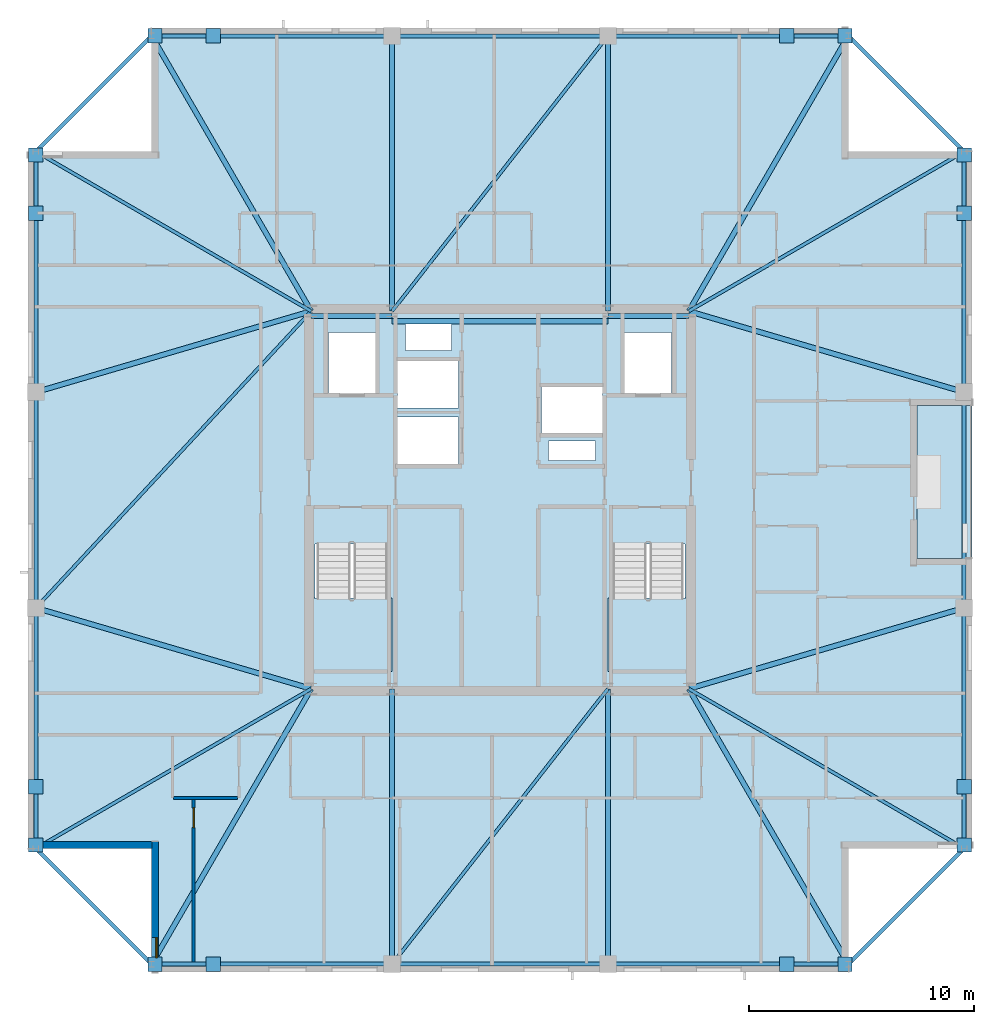
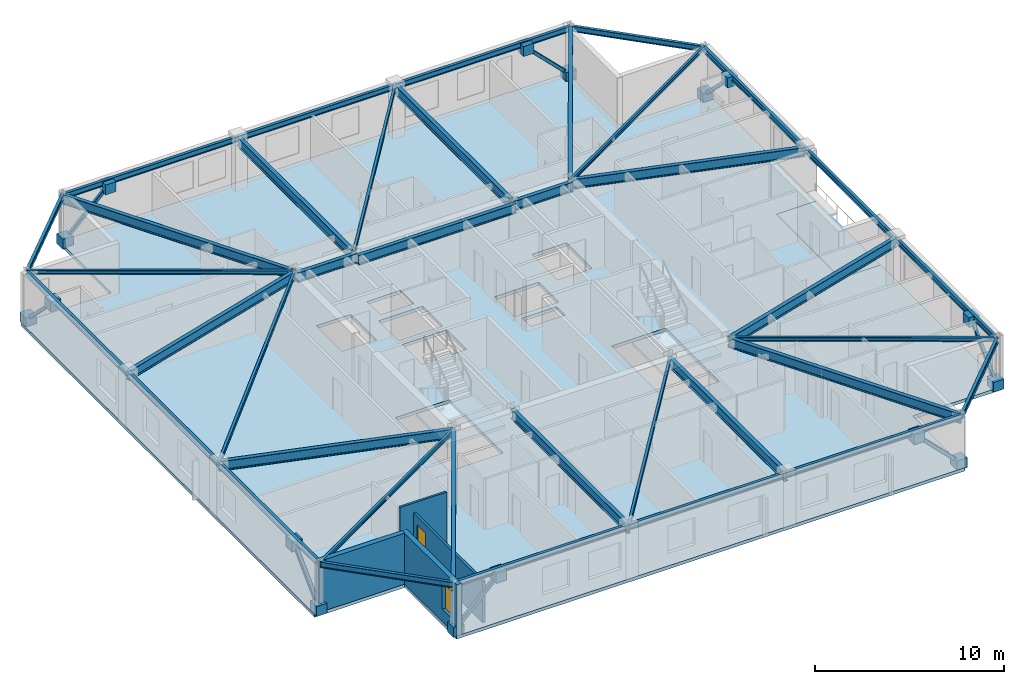
# One storey, part 6 of 14: 38 beams, 16 plates, 8 members, 4 slabs, 4 walls, 1 door, 1 window, 2 openings, 2 elements without a shape of their own.
"""IFC4 building model written with IfcOpenShell, lengths in metres."""

import ifcopenshell
import ifcopenshell.guid

model = None  # the IFC model being written
_history = None  # IfcOwnerHistory: only IFC2X3 demands one
_inside = {}  # id of a spatial element -> (the spatial element, [elements in it])
_under = {}  # id of a project, library or spatial element -> (it, [spatial elements below it])
_declared = {}  # id of a project -> (the project, [libraries it declares])
_typed = {}  # id of a type object -> (the type object, [elements of that type])
_made_of = {}  # id of a material, layer set ... -> (it, [elements and type objects made of it])


def new_model(schema):
    """Start an empty IFC model of exactly this schema.

    Asked for "IFC4X3", IfcOpenShell would pick the latest addendum, in which some entities
    have other attributes; the version numbers below select the first issue.
    IFC2X3 requires an IfcOwnerHistory on every rooted entity: one is made here for all.
    """
    global model, _history
    if schema == "IFC4X3":
        model = ifcopenshell.file(schema_version=(4, 3, 0, 0))
    else:
        model = ifcopenshell.file(schema=schema)
    _inside.clear()
    _under.clear()
    _declared.clear()
    _typed.clear()
    _made_of.clear()
    _history = None
    if model.schema == "IFC2X3":
        org = make("IfcOrganization", Name="unknown")
        user = make(
            "IfcPersonAndOrganization",
            ThePerson=make("IfcPerson", FamilyName="unknown"),
            TheOrganization=org,
        )
        app = make(
            "IfcApplication",
            ApplicationDeveloper=org,
            Version="unknown",
            ApplicationFullName="unknown",
            ApplicationIdentifier="unknown",
        )
        _history = make(
            "IfcOwnerHistory",
            OwningUser=user,
            OwningApplication=app,
            ChangeAction="ADDED",
            CreationDate=0,
        )
    return model


def make(cls, **values):
    """One entity of the class cls with the attributes given. An attribute that is None is left unset."""
    return model.create_entity(
        cls, **{name: value for name, value in values.items() if value is not None}
    )


def rooted(cls, **values):
    """An entity with a GlobalId (a new one), such as an element, a storey or a relation."""
    return make(cls, GlobalId=ifcopenshell.guid.new(), OwnerHistory=_history, **values)


def si_unit(unit_type, name, prefix=None):
    """IfcSIUnit, for example si_unit("LENGTHUNIT", "METRE", prefix="MILLI")."""
    return make("IfcSIUnit", UnitType=unit_type, Prefix=prefix, Name=name)


def assignment(units):
    """IfcUnitAssignment: the units of a project."""
    return None if units is None else make("IfcUnitAssignment", Units=units)


def point(xyz):
    """IfcCartesianPoint."""
    return None if xyz is None else make("IfcCartesianPoint", Coordinates=xyz)


def direction(xyz):
    """IfcDirection."""
    return None if xyz is None else make("IfcDirection", DirectionRatios=xyz)


def frame(location, z_axis=None, x_axis=None):
    """IfcAxis2Placement3D, a coordinate frame: its origin and axes. An axis left out is left unset."""
    return make(
        "IfcAxis2Placement3D",
        Location=point(location),
        Axis=direction(z_axis),
        RefDirection=direction(x_axis),
    )


def frame_2d(location, x_axis=None):
    """IfcAxis2Placement2D, a coordinate frame in the plane: its origin and x axis."""
    return make(
        "IfcAxis2Placement2D", Location=point(location), RefDirection=direction(x_axis)
    )


def origin():
    """The frame at (0, 0, 0) with its axes left unset."""
    return frame((0.0, 0.0, 0.0))


def origin_2d():
    """The frame at (0, 0) in the plane with its x axis left unset."""
    return frame_2d((0.0, 0.0))


def place(relative_to, where):
    """IfcLocalPlacement: puts the frame where relative to a parent placement (None: the world)."""
    return make(
        "IfcLocalPlacement", PlacementRelTo=relative_to, RelativePlacement=where
    )


def context(
    kind, dimensions, precision=None, world=None, true_north=None, identifier=None
):
    """IfcGeometricRepresentationContext, for example the 3D "Model" context."""
    return make(
        "IfcGeometricRepresentationContext",
        ContextIdentifier=identifier,
        ContextType=kind,
        CoordinateSpaceDimension=dimensions,
        Precision=precision,
        WorldCoordinateSystem=world,
        TrueNorth=true_north,
    )


def subcontext(parent, identifier, kind, view, scale=None):
    """IfcGeometricRepresentationSubContext, for example "Body" below "Model"."""
    return make(
        "IfcGeometricRepresentationSubContext",
        ContextIdentifier=identifier,
        ContextType=kind,
        ParentContext=parent,
        TargetScale=scale,
        TargetView=view,
    )


def project(units=None, contexts=None):
    """IfcProject with its units and contexts."""
    return rooted(
        "IfcProject",
        Name="project",
        RepresentationContexts=contexts,
        UnitsInContext=assignment(units),
    )


def spatial(cls, under=None, at=None, **own):
    """A site, building, storey or space (cls), placed at a placement, below another one or the project."""
    s = rooted(cls, ObjectPlacement=at, **own)
    if under is not None:
        _under.setdefault(under.id(), (under, []))[1].append(s)
    return s


def polyline(points):
    """IfcPolyline through the points."""
    return make("IfcPolyline", Points=[point(p) for p in points])


def profile(cls, at=None, kind="AREA", **sizes):
    """A parametric profile (cls). Its sizes go by their IFC names, for example OverallWidth=200.0."""
    return make(cls, ProfileType=kind, Position=at, **sizes)


def rectangle(**sizes):
    """IfcRectangleProfileDef."""
    return profile("IfcRectangleProfileDef", **sizes)


def hollow_rectangle(**sizes):
    """IfcRectangleHollowProfileDef."""
    return profile("IfcRectangleHollowProfileDef", **sizes)


def i_section(**sizes):
    """IfcIShapeProfileDef."""
    return profile("IfcIShapeProfileDef", **sizes)


def outline(outer, holes=None, kind="AREA"):
    """IfcArbitraryClosedProfileDef: a profile drawn as a closed curve; with holes, ...WithVoids."""
    if holes is None:
        return make("IfcArbitraryClosedProfileDef", ProfileType=kind, OuterCurve=outer)
    return make(
        "IfcArbitraryProfileDefWithVoids",
        ProfileType=kind,
        OuterCurve=outer,
        InnerCurves=holes,
    )


def extrude(swept, where, along, depth):
    """IfcExtrudedAreaSolid: the profile swept, set in the frame where, extruded along a direction by depth."""
    return make(
        "IfcExtrudedAreaSolid",
        SweptArea=swept,
        Position=where,
        ExtrudedDirection=direction(along),
        Depth=depth,
    )


def shape(context_of_items, identifier, shape_type, items):
    """IfcShapeRepresentation: the items that make up one representation, for example the "Body"."""
    return make(
        "IfcShapeRepresentation",
        ContextOfItems=context_of_items,
        RepresentationIdentifier=identifier,
        RepresentationType=shape_type,
        Items=items,
    )


def material(Name=None, Category=None):
    """IfcMaterial."""
    return make("IfcMaterial", Name=Name, Category=Category)


def layer(
    of_material, thickness, ventilated=None, Name=None, Category=None, Priority=None
):
    """IfcMaterialLayer: one layer of a wall or slab, of a material (None: an air gap)."""
    return make(
        "IfcMaterialLayer",
        Material=of_material,
        LayerThickness=thickness,
        IsVentilated=ventilated,
        Name=Name,
        Category=Category,
        Priority=Priority,
    )


def layer_set(layers, Name=None):
    """IfcMaterialLayerSet."""
    return make("IfcMaterialLayerSet", MaterialLayers=layers, LayerSetName=Name)


def material_profile(
    of_material, cross_section, Name=None, Category=None, Priority=None
):
    """IfcMaterialProfile: a cross section and its material."""
    return make(
        "IfcMaterialProfile",
        Name=Name,
        Material=of_material,
        Profile=cross_section,
        Priority=Priority,
        Category=Category,
    )


def profile_set(profiles, Name=None, composite=None):
    """IfcMaterialProfileSet."""
    return make(
        "IfcMaterialProfileSet",
        Name=Name,
        MaterialProfiles=profiles,
        CompositeProfile=composite,
    )


def made_of(thing, what):
    """Note that an element or type object is made of a material, layer set ...; save() writes the relation."""
    if what is not None:
        _made_of.setdefault(what.id(), (what, []))[1].append(thing)
    return thing


def type_object(cls, material=None, **own):
    """A type object (cls), such as IfcWallType, which elements share."""
    return made_of(rooted(cls, **own), material)


def element(
    cls,
    number,
    at=None,
    inside=None,
    cuts=None,
    type_object=None,
    material=None,
    context=None,
    identifier="Body",
    shape_type=None,
    held_by="IfcProductDefinitionShape",
    body=None,
    shapes=None,
    **own,
):
    """One element of the class cls, such as IfcWall. Its Tag is "e" and its number.

    at: its placement. inside: the storey or other place that contains it. cuts: it is an
    opening in that element (IfcRelVoidsElement). A single representation is given by context,
    identifier, shape_type and body (its items); several are given by shapes. held_by: the class
    of the entity that holds the representations. save() writes the other relations.
    """
    e = rooted(cls, Tag="e%d" % number, ObjectPlacement=at, **own)
    if body is not None:
        shapes = [shape(context, identifier, shape_type, body)]
    if shapes is not None:
        e.Representation = make(held_by, Representations=shapes)
    if inside is not None:
        _inside.setdefault(inside.id(), (inside, []))[1].append(e)
    if cuts is not None:
        rooted(
            "IfcRelVoidsElement", RelatingBuildingElement=cuts, RelatedOpeningElement=e
        )
    if type_object is not None:
        _typed.setdefault(type_object.id(), (type_object, []))[1].append(e)
    return made_of(e, material)


def fill(opening, filler):
    """IfcRelFillsElement: the door or window that sits in an opening."""
    return rooted(
        "IfcRelFillsElement",
        RelatingOpeningElement=opening,
        RelatedBuildingElement=filler,
    )


def aggregate(whole, parts):
    """IfcRelAggregates: a whole, such as a stair, and the parts it consists of."""
    return rooted("IfcRelAggregates", RelatingObject=whole, RelatedObjects=parts)


def save(model, path):
    """Write the relations noted so far, then the file.

    IfcRelAggregates (storeys below a building ...), IfcRelContainedInSpatialStructure (elements
    in a storey), IfcRelDefinesByType, IfcRelAssociatesMaterial and IfcRelDeclares: one each for
    every whole, place, type object, material and project.
    """
    for whole, parts in _under.values():
        aggregate(whole, parts)
    for where, things in _inside.values():
        rooted(
            "IfcRelContainedInSpatialStructure",
            RelatedElements=things,
            RelatingStructure=where,
        )
    for kind, things in _typed.values():
        rooted("IfcRelDefinesByType", RelatedObjects=things, RelatingType=kind)
    for what, things in _made_of.values():
        rooted("IfcRelAssociatesMaterial", RelatedObjects=things, RelatingMaterial=what)
    for by, libraries in _declared.values():
        rooted("IfcRelDeclares", RelatingContext=by, RelatedDefinitions=libraries)
    model.write(path)


model = new_model("IFC4")

# Units and contexts
model_context = context("Model", 3, precision=1e-05, world=origin(), true_north=direction((0.0, 1.0)))
body_context = subcontext(model_context, "Body", "Model", "MODEL_VIEW")
ifc_project = project(units=[si_unit("LENGTHUNIT", "METRE"), si_unit("AREAUNIT", "SQUARE_METRE"), si_unit("VOLUMEUNIT", "CUBIC_METRE"), si_unit("PLANEANGLEUNIT", "RADIAN"), si_unit("MASSUNIT", "GRAM", prefix="KILO")], contexts=[model_context])

# Site, building, storey
site_placement = place(None, origin())
site = spatial("IfcSite", under=ifc_project, at=site_placement, CompositionType="ELEMENT")
building_placement = place(site_placement, origin())
building = spatial("IfcBuilding", under=site, at=building_placement, Name="Cairnveth Concourse Tower", CompositionType="ELEMENT")
storey_placement = place(building_placement, frame((0.0, 0.0, 308.5)))
storey = spatial("IfcBuildingStorey", under=building, at=storey_placement, Name="L85", CompositionType="ELEMENT", Elevation=308.5)

# Beams
ifc_material_1 = material(Name="Steel Grade 350", Category="steel")
ifc_material_profile_1 = material_profile(ifc_material_1, i_section(OverallWidth=0.22802734375, OverallDepth=0.60693359375, WebThickness=0.01123046875, FlangeThickness=0.017333984375, FilletRadius=0.013916015625, at=origin_2d()), Name="610UB113")
ifc_profile_set_1 = profile_set([ifc_material_profile_1], Name="Steel Grade 350")
beam_type_1 = type_object("IfcBeamType", Name="CORE TIE BEAM 610UB113", PredefinedType="T_BEAM", material=ifc_profile_set_1)
for number, where, z_axis, x_axis, name in (
    (1, (43.60009765625, 47.179931640625, 2.986572265625), (1.0, 0.0, 0.0), (0.0, 1.0, 0.0), "Beam CT-N1 L85"),
    (2, (56.800048828125, 47.179931640625, 2.986572265625), (1.0, 0.0, 0.0), (0.0, 1.0, 0.0), "Beam CT-N3 L85"),
):
    element("IfcBeam", number, at=place(storey_placement, frame(where, z_axis=z_axis, x_axis=x_axis)), inside=storey, type_object=beam_type_1, Name=name, PredefinedType="T_BEAM", context=body_context, shape_type="SweptSolid", body=[
        extrude(i_section(OverallWidth=0.22802734375, OverallDepth=0.60693359375, WebThickness=0.01123046875, FlangeThickness=0.017333984375, FilletRadius=0.013916015625, at=origin_2d()), origin(), (0.0, 0.0, 1.0), 3.599853515625),
    ])
beam_1_placement = place(storey_placement, frame((47.199951171875, 46.949951171875, 2.986572265625), z_axis=(1.0, 0.0, 0.0), x_axis=(0.0, 1.0, 0.0)))
element("IfcBeam", 3, at=beam_1_placement, inside=storey, type_object=beam_type_1, Name="Beam CT-N2 L85", PredefinedType="T_BEAM", context=body_context, shape_type="SweptSolid", body=[
    extrude(i_section(OverallWidth=0.22802734375, OverallDepth=0.60693359375, WebThickness=0.01123046875, FlangeThickness=0.017333984375, FilletRadius=0.013916015625, at=origin_2d()), origin(), (0.0, 0.0, 1.0), 9.60009765625),
])
ifc_material_profile_2 = material_profile(ifc_material_1, i_section(OverallWidth=0.14599609375, OverallDepth=0.256103515625, WebThickness=0.00634765625, FlangeThickness=0.010986328125, FilletRadius=0.009033203125, at=origin_2d()), Name="250UB37.3")
ifc_profile_set_2 = profile_set([ifc_material_profile_2], Name="Steel Grade 350")
beam_type_2 = type_object("IfcBeamType", Name="ZONE 4 FLOOR JOIST 250UB37.3", PredefinedType="JOIST", material=ifc_profile_set_2)
for number, where, z_axis, x_axis, name in (
    (4, (31.35009765625, 23.5, 3.162109375), (0.86518141842, 0.501458984584, 0.0), (-0.501458984584, 0.86518141842, 0.0), "Beam FJ-CSW2 L85"),
    (5, (72.64990234375, 23.5, 3.162109375), (-0.86518141842, 0.501458984584, 0.0), (-0.501458984584, -0.86518141842, 0.0), "Beam FJ-CSE2 L85"),
    (6, (72.64990234375, 54.5, 3.162109375), (-0.86518141842, -0.501458984584, 0.0), (0.501458984584, -0.86518141842, 0.0), "Beam FJ-CNE2 L85"),
    (7, (31.35009765625, 54.5, 3.162109375), (0.86518141842, -0.501458984584, 0.0), (0.501458984584, 0.86518141842, 0.0), "Beam FJ-CNW2 L85"),
):
    element("IfcBeam", number, at=place(storey_placement, frame(where, z_axis=z_axis, x_axis=x_axis)), inside=storey, type_object=beam_type_2, Name=name, PredefinedType="JOIST", context=body_context, shape_type="SweptSolid", body=[
        extrude(i_section(OverallWidth=0.14599609375, OverallDepth=0.256103515625, WebThickness=0.00634765625, FlangeThickness=0.010986328125, FilletRadius=0.009033203125, at=origin_2d()), origin(), (0.0, 0.0, 1.0), 14.158935546875),
    ])
for number, where, z_axis, x_axis, name in (
    (8, (47.199951171875, 18.35009765625, 3.162109375), (0.616831762718, 0.787095023807, 0.0), (-0.787095023807, 0.616831762718, 0.0), "Beam FJ-S-M1 L85"),
    (9, (47.199951171875, 47.39990234375, 3.162109375), (0.616831762718, 0.787095023807, 0.0), (-0.787095023807, 0.616831762718, 0.0), "Beam FJ-N-M1 L85"),
):
    element("IfcBeam", number, at=place(storey_placement, frame(where, z_axis=z_axis, x_axis=x_axis)), inside=storey, type_object=beam_type_2, Name=name, PredefinedType="JOIST", context=body_context, shape_type="SweptSolid", body=[
        extrude(i_section(OverallWidth=0.14599609375, OverallDepth=0.256103515625, WebThickness=0.00634765625, FlangeThickness=0.010986328125, FilletRadius=0.009033203125, at=origin_2d()), origin(), (0.0, 0.0, 1.0), 15.5634765625),
    ])
beam_2_placement = place(storey_placement, frame((31.35009765625, 34.199951171875, 3.162109375), z_axis=(0.680239432161, 0.732989982833, 0.0), x_axis=(-0.732989982833, 0.680239432161, 0.0)))
element("IfcBeam", 10, at=beam_2_placement, inside=storey, type_object=beam_type_2, Name="Beam FJ-W-M1 L85", PredefinedType="JOIST", context=body_context, shape_type="SweptSolid", body=[
    extrude(i_section(OverallWidth=0.14599609375, OverallDepth=0.256103515625, WebThickness=0.00634765625, FlangeThickness=0.010986328125, FilletRadius=0.009033203125, at=origin_2d()), origin(), (0.0, 0.0, 1.0), 18.00830078125),
])

# Members
ifc_material_2 = material(Name="Steel C350L0 (350 MPa)", Category="steel")
ifc_material_profile_3 = material_profile(ifc_material_2, hollow_rectangle(XDim=0.199951171875, YDim=0.199951171875, WallThickness=0.012451171875, InnerFilletRadius=0.012939453125, OuterFilletRadius=0.02490234375, at=origin_2d()), Name="200x200x12.5SHS")
ifc_profile_set_3 = profile_set([ifc_material_profile_3], Name="Steel C350L0 (350 MPa)")
member_type = type_object("IfcMemberType", Name="ZONE 4 PIER BRACE 200X200X12.5SHS", PredefinedType="BRACE", material=ifc_profile_set_3)
for number, where, z_axis, x_axis, name in (
    (11, (36.64990234375, 18.35009765625, 0.25), (0.708469186186, 0.0, 0.705741746126), (0.0, 1.0, 0.0), "Structural Brace PB-S1 L85"),
    (12, (67.35009765625, 18.35009765625, 0.25), (-0.708469186186, 0.0, 0.705741746126), (0.0, -1.0, 0.0), "Structural Brace PB-S2 L85"),
    (13, (36.64990234375, 59.64990234375, 0.25), (0.708469186186, 0.0, 0.705741746126), (0.0, 1.0, 0.0), "Structural Brace PB-N1 L85"),
    (14, (67.35009765625, 59.64990234375, 0.25), (-0.708469186186, 0.0, 0.705741746126), (0.0, -1.0, 0.0), "Structural Brace PB-N2 L85"),
    (15, (31.35009765625, 23.64990234375, 0.25), (0.0, 0.708469186186, 0.705741746126), (-1.0, 0.0, 0.0), "Structural Brace PB-W1 L85"),
    (16, (31.35009765625, 54.35009765625, 0.25), (0.0, -0.708469186186, 0.705741746126), (1.0, 0.0, 0.0), "Structural Brace PB-W2 L85"),
    (17, (72.64990234375, 23.64990234375, 0.25), (0.0, 0.708469186186, 0.705741746126), (-1.0, 0.0, 0.0), "Structural Brace PB-E1 L85"),
    (18, (72.64990234375, 54.35009765625, 0.25), (0.0, -0.708469186186, 0.705741746126), (1.0, 0.0, 0.0), "Structural Brace PB-E2 L85"),
):
    element("IfcMember", number, at=place(storey_placement, frame(where, z_axis=z_axis, x_axis=x_axis)), inside=storey, type_object=member_type, Name=name, PredefinedType="BRACE", context=body_context, shape_type="SweptSolid", body=[
        extrude(hollow_rectangle(XDim=0.199951171875, YDim=0.199951171875, WallThickness=0.012451171875, InnerFilletRadius=0.012939453125, OuterFilletRadius=0.02490234375, at=origin_2d()), origin(), (0.0, 0.0, 1.0), 3.669921875),
    ])

# Beams
ifc_material_profile_4 = material_profile(ifc_material_1, i_section(OverallWidth=0.22900390625, OverallDepth=0.612060546875, WebThickness=0.011962890625, FlangeThickness=0.01953125, FilletRadius=0.013916015625, at=origin_2d()), Name="610UB125")
ifc_profile_set_4 = profile_set([ifc_material_profile_4], Name="Steel Grade 350")
beam_type_3 = type_object("IfcBeamType", Name="ZONE 4 RADIAL GIRDER 610UB125", PredefinedType="BEAM", material=ifc_profile_set_4)
for number, where, z_axis, x_axis, name in (
    (19, (47.199951171875, 18.35009765625, 2.98388671875), (0.0, 1.0, 0.0), (-1.0, 0.0, 0.0), "Beam RG-S1 L85"),
    (20, (56.800048828125, 18.35009765625, 2.98388671875), (0.0, 1.0, 0.0), (-1.0, 0.0, 0.0), "Beam RG-S2 L85"),
    (21, (47.199951171875, 47.39990234375, 2.98388671875), (0.0, 1.0, 0.0), (-1.0, 0.0, 0.0), "Beam RG-N1 L85"),
    (22, (56.800048828125, 47.39990234375, 2.98388671875), (0.0, 1.0, 0.0), (-1.0, 0.0, 0.0), "Beam RG-N2 L85"),
):
    element("IfcBeam", number, at=place(storey_placement, frame(where, z_axis=z_axis, x_axis=x_axis)), inside=storey, type_object=beam_type_3, Name=name, PredefinedType="BEAM", context=body_context, shape_type="SweptSolid", body=[
        extrude(i_section(OverallWidth=0.22900390625, OverallDepth=0.612060546875, WebThickness=0.011962890625, FlangeThickness=0.01953125, FilletRadius=0.013916015625, at=origin_2d()), origin(), (0.0, 0.0, 1.0), 12.25),
    ])
for number, where, z_axis, x_axis, name in (
    (23, (31.35009765625, 34.199951171875, 2.98388671875), (0.959430938842, -0.281943741893, 0.0), (0.281943741893, 0.959430938842, 0.0), "Beam RG-W1 L85"),
    (24, (31.35009765625, 43.800048828125, 2.98388671875), (0.959430938842, 0.281943741893, 0.0), (-0.281943741893, 0.959430938842, 0.0), "Beam RG-W2 L85"),
    (25, (60.39990234375, 30.60009765625, 2.98388671875), (0.959430938842, 0.281943741893, 0.0), (-0.281943741893, 0.959430938842, 0.0), "Beam RG-E1 L85"),
    (26, (60.39990234375, 47.39990234375, 2.98388671875), (0.959430938842, -0.281943741893, 0.0), (0.281943741893, 0.959430938842, 0.0), "Beam RG-E2 L85"),
):
    element("IfcBeam", number, at=place(storey_placement, frame(where, z_axis=z_axis, x_axis=x_axis)), inside=storey, type_object=beam_type_3, Name=name, PredefinedType="BEAM", context=body_context, shape_type="SweptSolid", body=[
        extrude(i_section(OverallWidth=0.22900390625, OverallDepth=0.612060546875, WebThickness=0.011962890625, FlangeThickness=0.01953125, FilletRadius=0.013916015625, at=origin_2d()), origin(), (0.0, 0.0, 1.0), 12.76806640625),
    ])
for number, where, z_axis, x_axis, name in (
    (27, (36.5, 18.35009765625, 2.98388671875), (0.501458984584, 0.86518141842, 0.0), (-0.86518141842, 0.501458984584, 0.0), "Beam RG-CSW L85"),
    (28, (67.5, 18.35009765625, 2.98388671875), (-0.501458984584, 0.86518141842, 0.0), (-0.86518141842, -0.501458984584, 0.0), "Beam RG-CSE L85"),
    (29, (67.5, 59.64990234375, 2.98388671875), (-0.501458984584, -0.86518141842, 0.0), (0.86518141842, -0.501458984584, 0.0), "Beam RG-CNE L85"),
    (30, (36.5, 59.64990234375, 2.98388671875), (0.501458984584, -0.86518141842, 0.0), (0.86518141842, 0.501458984584, 0.0), "Beam RG-CNW L85"),
):
    element("IfcBeam", number, at=place(storey_placement, frame(where, z_axis=z_axis, x_axis=x_axis)), inside=storey, type_object=beam_type_3, Name=name, PredefinedType="BEAM", context=body_context, shape_type="SweptSolid", body=[
        extrude(i_section(OverallWidth=0.22900390625, OverallDepth=0.612060546875, WebThickness=0.011962890625, FlangeThickness=0.01953125, FilletRadius=0.013916015625, at=origin_2d()), origin(), (0.0, 0.0, 1.0), 14.158935546875),
    ])
ifc_material_profile_5 = material_profile(ifc_material_1, i_section(OverallWidth=0.172119140625, OverallDepth=0.35888671875, WebThickness=0.008056640625, FlangeThickness=0.012939453125, FilletRadius=0.010986328125, at=origin_2d()), Name="360UB56.7")
ifc_profile_set_5 = profile_set([ifc_material_profile_5], Name="Steel Grade 350")
beam_type_4 = type_object("IfcBeamType", Name="ZONE 4 SPANDREL BEAM 360UB56.7", PredefinedType="SPANDREL", material=ifc_profile_set_5)
beam_3_placement = place(storey_placement, frame((36.5, 18.35009765625, 3.110595703125), z_axis=(1.0, 0.0, 0.0), x_axis=(0.0, 1.0, 0.0)))
element("IfcBeam", 31, at=beam_3_placement, inside=storey, type_object=beam_type_4, Name="Beam SP-S1 L85", PredefinedType="SPANDREL", context=body_context, shape_type="SweptSolid", body=[
    extrude(i_section(OverallWidth=0.172119140625, OverallDepth=0.35888671875, WebThickness=0.008056640625, FlangeThickness=0.012939453125, FilletRadius=0.010986328125, at=origin_2d()), origin(), (0.0, 0.0, 1.0), 10.699951171875),
])
beam_4_placement = place(storey_placement, frame((47.199951171875, 18.35009765625, 3.110595703125), z_axis=(1.0, 0.0, 0.0), x_axis=(0.0, 1.0, 0.0)))
element("IfcBeam", 32, at=beam_4_placement, inside=storey, type_object=beam_type_4, Name="Beam SP-S2 L85", PredefinedType="SPANDREL", context=body_context, shape_type="SweptSolid", body=[
    extrude(i_section(OverallWidth=0.172119140625, OverallDepth=0.35888671875, WebThickness=0.008056640625, FlangeThickness=0.012939453125, FilletRadius=0.010986328125, at=origin_2d()), origin(), (0.0, 0.0, 1.0), 9.60009765625),
])
for number, where, z_axis, x_axis, name in (
    (33, (56.800048828125, 18.35009765625, 3.110595703125), (1.0, 0.0, 0.0), (0.0, 1.0, 0.0), "Beam SP-S3 L85"),
    (34, (36.5, 59.64990234375, 3.110595703125), (1.0, 0.0, 0.0), (0.0, 1.0, 0.0), "Beam SP-N1 L85"),
):
    element("IfcBeam", number, at=place(storey_placement, frame(where, z_axis=z_axis, x_axis=x_axis)), inside=storey, type_object=beam_type_4, Name=name, PredefinedType="SPANDREL", context=body_context, shape_type="SweptSolid", body=[
        extrude(i_section(OverallWidth=0.172119140625, OverallDepth=0.35888671875, WebThickness=0.008056640625, FlangeThickness=0.012939453125, FilletRadius=0.010986328125, at=origin_2d()), origin(), (0.0, 0.0, 1.0), 10.699951171875),
    ])
beam_5_placement = place(storey_placement, frame((47.199951171875, 59.64990234375, 3.110595703125), z_axis=(1.0, 0.0, 0.0), x_axis=(0.0, 1.0, 0.0)))
element("IfcBeam", 35, at=beam_5_placement, inside=storey, type_object=beam_type_4, Name="Beam SP-N2 L85", PredefinedType="SPANDREL", context=body_context, shape_type="SweptSolid", body=[
    extrude(i_section(OverallWidth=0.172119140625, OverallDepth=0.35888671875, WebThickness=0.008056640625, FlangeThickness=0.012939453125, FilletRadius=0.010986328125, at=origin_2d()), origin(), (0.0, 0.0, 1.0), 9.60009765625),
])
for number, where, z_axis, x_axis, name in (
    (36, (56.800048828125, 59.64990234375, 3.110595703125), (1.0, 0.0, 0.0), (0.0, 1.0, 0.0), "Beam SP-N3 L85"),
    (37, (31.35009765625, 23.5, 3.110595703125), (0.0, 1.0, 0.0), (-1.0, 0.0, 0.0), "Beam SP-W1 L85"),
):
    element("IfcBeam", number, at=place(storey_placement, frame(where, z_axis=z_axis, x_axis=x_axis)), inside=storey, type_object=beam_type_4, Name=name, PredefinedType="SPANDREL", context=body_context, shape_type="SweptSolid", body=[
        extrude(i_section(OverallWidth=0.172119140625, OverallDepth=0.35888671875, WebThickness=0.008056640625, FlangeThickness=0.012939453125, FilletRadius=0.010986328125, at=origin_2d()), origin(), (0.0, 0.0, 1.0), 10.699951171875),
    ])
beam_6_placement = place(storey_placement, frame((31.35009765625, 34.199951171875, 3.110595703125), z_axis=(0.0, 1.0, 0.0), x_axis=(-1.0, 0.0, 0.0)))
element("IfcBeam", 38, at=beam_6_placement, inside=storey, type_object=beam_type_4, Name="Beam SP-W2 L85", PredefinedType="SPANDREL", context=body_context, shape_type="SweptSolid", body=[
    extrude(i_section(OverallWidth=0.172119140625, OverallDepth=0.35888671875, WebThickness=0.008056640625, FlangeThickness=0.012939453125, FilletRadius=0.010986328125, at=origin_2d()), origin(), (0.0, 0.0, 1.0), 9.60009765625),
])
for number, where, z_axis, x_axis, name in (
    (39, (31.35009765625, 43.800048828125, 3.110595703125), (0.0, 1.0, 0.0), (-1.0, 0.0, 0.0), "Beam SP-W3 L85"),
    (40, (72.64990234375, 23.5, 3.110595703125), (0.0, 1.0, 0.0), (-1.0, 0.0, 0.0), "Beam SP-E1 L85"),
):
    element("IfcBeam", number, at=place(storey_placement, frame(where, z_axis=z_axis, x_axis=x_axis)), inside=storey, type_object=beam_type_4, Name=name, PredefinedType="SPANDREL", context=body_context, shape_type="SweptSolid", body=[
        extrude(i_section(OverallWidth=0.172119140625, OverallDepth=0.35888671875, WebThickness=0.008056640625, FlangeThickness=0.012939453125, FilletRadius=0.010986328125, at=origin_2d()), origin(), (0.0, 0.0, 1.0), 10.699951171875),
    ])
beam_7_placement = place(storey_placement, frame((72.64990234375, 34.199951171875, 3.110595703125), z_axis=(0.0, 1.0, 0.0), x_axis=(-1.0, 0.0, 0.0)))
element("IfcBeam", 41, at=beam_7_placement, inside=storey, type_object=beam_type_4, Name="Beam SP-E2 L85", PredefinedType="SPANDREL", context=body_context, shape_type="SweptSolid", body=[
    extrude(i_section(OverallWidth=0.172119140625, OverallDepth=0.35888671875, WebThickness=0.008056640625, FlangeThickness=0.012939453125, FilletRadius=0.010986328125, at=origin_2d()), origin(), (0.0, 0.0, 1.0), 9.60009765625),
])
beam_8_placement = place(storey_placement, frame((72.64990234375, 43.800048828125, 3.110595703125), z_axis=(0.0, 1.0, 0.0), x_axis=(-1.0, 0.0, 0.0)))
element("IfcBeam", 42, at=beam_8_placement, inside=storey, type_object=beam_type_4, Name="Beam SP-E3 L85", PredefinedType="SPANDREL", context=body_context, shape_type="SweptSolid", body=[
    extrude(i_section(OverallWidth=0.172119140625, OverallDepth=0.35888671875, WebThickness=0.008056640625, FlangeThickness=0.012939453125, FilletRadius=0.010986328125, at=origin_2d()), origin(), (0.0, 0.0, 1.0), 10.699951171875),
])
for number, where, z_axis, x_axis, name in (
    (43, (31.35009765625, 23.5, 3.110595703125), (0.707106781187, -0.707106781187, 0.0), (0.707106781187, 0.707106781187, 0.0), "Beam SP-SW L85"),
    (44, (67.5, 18.35009765625, 3.110595703125), (0.707106781187, 0.707106781187, 0.0), (-0.707106781187, 0.707106781187, 0.0), "Beam SP-SE L85"),
    (45, (67.5, 59.64990234375, 3.110595703125), (0.707106781187, -0.707106781187, 0.0), (0.707106781187, 0.707106781187, 0.0), "Beam SP-NE L85"),
    (46, (31.35009765625, 54.5, 3.110595703125), (0.707106781187, 0.707106781187, 0.0), (-0.707106781187, 0.707106781187, 0.0), "Beam SP-NW L85"),
):
    element("IfcBeam", number, at=place(storey_placement, frame(where, z_axis=z_axis, x_axis=x_axis)), inside=storey, type_object=beam_type_4, Name=name, PredefinedType="SPANDREL", context=body_context, shape_type="SweptSolid", body=[
        extrude(i_section(OverallWidth=0.172119140625, OverallDepth=0.35888671875, WebThickness=0.008056640625, FlangeThickness=0.012939453125, FilletRadius=0.010986328125, at=origin_2d()), origin(), (0.0, 0.0, 1.0), 7.282958984375),
    ])

# Plates
ifc_layer_1 = layer(ifc_material_1, 0.031982421875)
ifc_layer_set_1 = layer_set([ifc_layer_1], Name="Steel Grade 350")
plate_type = type_object("IfcPlateType", Name="PERIMETER BRACE GUSSET PLATE 32", PredefinedType="USERDEFINED", material=ifc_layer_set_1)
for number, where, z_axis, x_axis, name in (
    (47, (36.64990234375, 18.35009765625, -0.06982421875), (0.0, 0.0, 1.0), (1.0, 0.0, 0.0), "Structural Node Plate 1497 L85"),
    (48, (39.25, 18.35009765625, 2.52001953125), (0.0, 0.0, 1.0), (1.0, 0.0, 0.0), "Structural Node Plate 1498 L85"),
    (49, (67.35009765625, 18.35009765625, -0.06982421875), (0.0, 0.0, 1.0), (1.0, 0.0, 0.0), "Structural Node Plate 1499 L85"),
    (50, (64.75, 18.35009765625, 2.52001953125), (0.0, 0.0, 1.0), (1.0, 0.0, 0.0), "Structural Node Plate 1500 L85"),
    (51, (36.64990234375, 59.64990234375, -0.06982421875), (0.0, 0.0, 1.0), (1.0, 0.0, 0.0), "Structural Node Plate 1501 L85"),
    (52, (39.25, 59.64990234375, 2.52001953125), (0.0, 0.0, 1.0), (1.0, 0.0, 0.0), "Structural Node Plate 1502 L85"),
    (53, (67.35009765625, 59.64990234375, -0.06982421875), (0.0, 0.0, 1.0), (1.0, 0.0, 0.0), "Structural Node Plate 1503 L85"),
    (54, (64.75, 59.64990234375, 2.52001953125), (0.0, 0.0, 1.0), (1.0, 0.0, 0.0), "Structural Node Plate 1504 L85"),
    (55, (31.35009765625, 23.64990234375, -0.06982421875), (0.0, 0.0, 1.0), (1.0, 0.0, 0.0), "Structural Node Plate 1505 L85"),
    (56, (31.35009765625, 26.25, 2.52001953125), (0.0, 0.0, 1.0), (1.0, 0.0, 0.0), "Structural Node Plate 1506 L85"),
    (57, (31.35009765625, 54.35009765625, -0.06982421875), (0.0, 0.0, 1.0), (1.0, 0.0, 0.0), "Structural Node Plate 1507 L85"),
    (58, (31.35009765625, 51.75, 2.52001953125), (0.0, 0.0, 1.0), (1.0, 0.0, 0.0), "Structural Node Plate 1508 L85"),
    (59, (72.64990234375, 23.64990234375, -0.06982421875), (0.0, 0.0, 1.0), (1.0, 0.0, 0.0), "Structural Node Plate 1509 L85"),
    (60, (72.64990234375, 26.25, 2.52001953125), (0.0, 0.0, 1.0), (1.0, 0.0, 0.0), "Structural Node Plate 1510 L85"),
    (61, (72.64990234375, 54.35009765625, -0.06982421875), (0.0, 0.0, 1.0), (1.0, 0.0, 0.0), "Structural Node Plate 1511 L85"),
    (62, (72.64990234375, 51.75, 2.52001953125), (0.0, 0.0, 1.0), (1.0, 0.0, 0.0), "Structural Node Plate 1512 L85"),
):
    element("IfcPlate", number, at=place(storey_placement, frame(where, z_axis=z_axis, x_axis=x_axis)), inside=storey, type_object=plate_type, Name=name, ObjectType="GUSSET PLATE", PredefinedType="USERDEFINED", context=body_context, shape_type="SweptSolid", body=[
        extrude(rectangle(XDim=0.639892578125, YDim=0.639892578125, at=origin_2d()), origin(), (0.0, 0.0, 1.0), 0.639892578125),
    ])

# Slab
ifc_material_3 = material(Name="Concrete N50 (50 MPa)", Category="concrete")
ifc_layer_2 = layer(ifc_material_3, 0.18994140625)
ifc_layer_set_2 = layer_set([ifc_layer_2], Name="Concrete N50 (50 MPa)")
slab_type_1 = type_object("IfcSlabType", Name="SPIRAL OUTDOOR TERRACE SLAB 190", PredefinedType="FLOOR", material=ifc_layer_set_2)
slab_1_placement = place(storey_placement, frame((0.0, 0.0, -0.18994140625)))
element("IfcSlab", 63, at=slab_1_placement, inside=storey, type_object=slab_type_1, Name="Spiral Terrace Slab L85", PredefinedType="FLOOR", context=body_context, shape_type="SweptSolid", body=[
    extrude(outline(polyline([(70.550048828125, 36.39990234375), (73.0, 36.39990234375), (73.0, 43.199951171875), (70.550048828125, 43.199951171875), (70.550048828125, 36.39990234375)])), origin(), (0.0, 0.0, 1.0), 0.18994140625),
])

# Stair, slab
ifc_material_4 = material(Name="Precast concrete N50 (50 MPa)", Category="concrete")
stair_type = type_object("IfcStairType", Name="CORE DOG-LEG FIRE STAIR 1500", PredefinedType="HALF_TURN_STAIR", material=ifc_material_4)
stair_1_placement = place(storey_placement, origin())
stair_1 = element("IfcStair", 64, at=stair_1_placement, inside=storey, type_object=stair_type, Name="L85 Fire-Isolated Stair ST-1", PredefinedType="HALF_TURN_STAIR")
ifc_layer_3 = layer(ifc_material_3, 0.199951171875)
ifc_layer_set_3 = layer_set([ifc_layer_3], Name="Concrete N50 (50 MPa)")
slab_type_2 = type_object("IfcSlabType", Name="STAIR HALF LANDING SLAB 200", PredefinedType="LANDING", material=ifc_layer_set_3)
slab_2_placement = place(storey_placement, frame((0.0, 0.0, 1.550048828125)))
slab_2 = element("IfcSlab", 65, at=slab_2_placement, type_object=slab_type_2, Name="ST-1 landing 1", PredefinedType="LANDING", context=body_context, shape_type="SweptSolid", body=[
    extrude(outline(polyline([(43.6201171875, 34.639892578125), (43.6201171875, 31.3701171875), (47.199951171875, 31.3701171875), (47.199951171875, 34.639892578125), (43.6201171875, 34.639892578125)])), origin(), (0.0, 0.0, 1.0), 0.199951171875),
])
aggregate(stair_1, [slab_2])

stair_2_placement = place(storey_placement, origin())
stair_2 = element("IfcStair", 66, at=stair_2_placement, inside=storey, type_object=stair_type, Name="L85 Fire-Isolated Stair ST-2", PredefinedType="HALF_TURN_STAIR")
slab_3_placement = place(storey_placement, frame((0.0, 0.0, 1.550048828125)))
slab_3 = element("IfcSlab", 67, at=slab_3_placement, type_object=slab_type_2, Name="ST-2 landing 1", PredefinedType="LANDING", context=body_context, shape_type="SweptSolid", body=[
    extrude(outline(polyline([(56.800048828125, 34.639892578125), (56.800048828125, 31.3701171875), (60.3798828125, 31.3701171875), (60.3798828125, 34.639892578125), (56.800048828125, 34.639892578125)])), origin(), (0.0, 0.0, 1.0), 0.199951171875),
])
aggregate(stair_2, [slab_3])

# Slab
ifc_layer_4 = layer(ifc_material_3, 0.2099609375)
ifc_layer_set_4 = layer_set([ifc_layer_4], Name="Concrete N50 (50 MPa)")
slab_type_3 = type_object("IfcSlabType", Name="UPPER TOWER COMPOSITE SLAB 210", PredefinedType="FLOOR", material=ifc_layer_set_4)
slab_4_placement = place(storey_placement, frame((0.0, 0.0, -0.2099609375)))
element("IfcSlab", 68, at=slab_4_placement, inside=storey, type_object=slab_type_3, Name="Tower Floor Slab L85", PredefinedType="FLOOR", context=body_context, shape_type="SweptSolid", body=[
    extrude(outline(polyline([(73.0, 36.39990234375), (70.550048828125, 36.39990234375), (70.550048828125, 43.199951171875), (73.0, 43.199951171875), (73.0, 54.5), (67.5, 54.5), (67.5, 60.0), (36.5, 60.0), (36.5, 54.5), (31.0, 54.5), (31.0, 23.5), (36.5, 23.5), (36.5, 18.0), (67.5, 18.0), (67.5, 23.5), (73.0, 23.5), (73.0, 36.39990234375)]), holes=[polyline([(43.760009765625, 31.360107421875), (47.06005859375, 31.360107421875), (47.06005859375, 37.0400390625), (43.760009765625, 37.0400390625), (43.760009765625, 31.360107421875)]), polyline([(56.93994140625, 31.360107421875), (60.239990234375, 31.360107421875), (60.239990234375, 37.0400390625), (56.93994140625, 37.0400390625), (56.93994140625, 31.360107421875)]), polyline([(44.3701171875, 43.75), (46.469970703125, 43.75), (46.469970703125, 46.449951171875), (44.3701171875, 46.449951171875), (44.3701171875, 43.75)]), polyline([(57.530029296875, 43.75), (59.6298828125, 43.75), (59.6298828125, 46.449951171875), (57.530029296875, 46.449951171875), (57.530029296875, 43.75)]), polyline([(47.449951171875, 40.60009765625), (50.14990234375, 40.60009765625), (50.14990234375, 42.699951171875), (47.449951171875, 42.699951171875), (47.449951171875, 40.60009765625)]), polyline([(47.449951171875, 43.10009765625), (50.14990234375, 43.10009765625), (50.14990234375, 45.199951171875), (47.449951171875, 45.199951171875), (47.449951171875, 43.10009765625)]), polyline([(53.85009765625, 41.949951171875), (56.550048828125, 41.949951171875), (56.550048828125, 44.050048828125), (53.85009765625, 44.050048828125), (53.85009765625, 41.949951171875)]), polyline([(47.800048828125, 45.64990234375), (49.85009765625, 45.64990234375), (49.85009765625, 47.050048828125), (47.800048828125, 47.050048828125), (47.800048828125, 45.64990234375)]), polyline([(54.14990234375, 40.75), (56.25, 40.75), (56.25, 41.6201171875), (54.14990234375, 41.6201171875), (54.14990234375, 40.75)])]), origin(), (0.0, 0.0, 1.0), 0.2099609375),
])

# Wall, opening, door
ifc_material_5 = material(Name="Gypsum Plasterboard Partition", Category="gypsum")
ifc_layer_5 = layer(ifc_material_5, 0.139892578125)
ifc_layer_set_5 = layer_set([ifc_layer_5], Name="Gypsum Plasterboard Partition")
wall_type_1 = type_object("IfcWallType", Name="GYPSUM STUD PARTITION 140", PredefinedType="PARTITIONING", material=ifc_layer_set_5)
wall_1_placement = place(storey_placement, frame((38.3701171875, 18.3798828125, 0.0), z_axis=(0.0, 0.0, 1.0), x_axis=(0.0, 1.0, 0.0)))
wall_1 = element("IfcWall", 69, at=wall_1_placement, inside=storey, type_object=wall_type_1, Name="Interior Wall IW-L85-047", PredefinedType="PARTITIONING", context=body_context, shape_type="SweptSolid", body=[
    extrude(rectangle(XDim=7.30517578125, YDim=0.139892578125, at=frame_2d((3.652587890625, 0.0))), origin(), (0.0, 0.0, 1.0), 2.653076171875),
])
opening_1_placement = place(wall_1_placement, frame((6.044921875, 0.0, 0.0)))
opening_1 = element("IfcOpeningElement", 70, at=opening_1_placement, cuts=wall_1, Name="Opening ID18", PredefinedType="OPENING", context=body_context, shape_type="SweptSolid", body=[
    extrude(rectangle(XDim=0.8798828125, YDim=2.10009765625, at=frame_2d((0.43994140625, 1.050048828125))), frame((0.0, 0.079833984375, 0.0), z_axis=(0.0, -1.0, 0.0), x_axis=(1.0, 0.0, 0.0)), (0.0, 0.0, 1.0), 0.159912109375),
])
ifc_material_6 = material(Name="Solid Core Hardwood Timber Leaf", Category="wood")
door_type = type_object("IfcDoorType", Name="INTERIOR SINGLE DOOR 880X2100", OperationType="NOTDEFINED", PredefinedType="DOOR", material=ifc_material_6)
door_placement = place(opening_1_placement, origin())
door = element("IfcDoor", 71, at=door_placement, inside=storey, type_object=door_type, Name="L85PS1 Master Bedroom Door", OperationType="SINGLE_SWING_LEFT", OverallHeight=2.10009765625, OverallWidth=0.8798828125, PredefinedType="DOOR", context=body_context, shape_type="SweptSolid", body=[
    extrude(rectangle(XDim=0.8798828125, YDim=2.10009765625, at=frame_2d((0.43994140625, 1.050048828125))), frame((0.0, 0.02490234375, 0.0), z_axis=(0.0, -1.0, 0.0), x_axis=(1.0, 0.0, 0.0)), (0.0, 0.0, 1.0), 0.050048828125),
])
fill(opening_1, door)

# Wall
ifc_layer_6 = layer(ifc_material_5, 0.1298828125)
ifc_layer_set_6 = layer_set([ifc_layer_6], Name="Gypsum Plasterboard Partition")
wall_type_2 = type_object("IfcWallType", Name="WET AREA PARTITION 140", PredefinedType="PLUMBINGWALL", material=ifc_layer_set_6)
wall_2_placement = place(storey_placement, frame((37.481201171875, 25.735107421875, 0.0), z_axis=(0.0, 0.0, 1.0), x_axis=(1.0, 0.0, 0.0)))
element("IfcWall", 72, at=wall_2_placement, inside=storey, type_object=wall_type_2, Name="Interior Wall IW-L85-043", PredefinedType="PLUMBINGWALL", context=body_context, shape_type="SweptSolid", body=[
    extrude(rectangle(XDim=2.85009765625, YDim=0.1298828125, at=frame_2d((1.425048828125, 0.0))), origin(), (0.0, 0.0, 1.0), 3.2900390625),
])

# Wall, opening, window
ifc_material_7 = material(Name="Hawthorn Red-Ochre Fired Clay Brick Masonry", Category="masonry")
ifc_layer_7 = layer(ifc_material_7, 0.300048828125)
ifc_layer_set_7 = layer_set([ifc_layer_7], Name="Hawthorn Red-Ochre Fired Clay Brick Masonry")
wall_type_3 = type_object("IfcWallType", Name="ZONE 4 BRICK PIER SPANDREL WALL 300", PredefinedType="SOLIDWALL", material=ifc_layer_set_7)
wall_3_placement = place(storey_placement, frame((36.64990234375, 18.0, 0.0), z_axis=(0.0, 0.0, 1.0), x_axis=(0.0, 1.0, 0.0)))
wall_3 = element("IfcWall", 73, at=wall_3_placement, inside=storey, type_object=wall_type_3, Name="Exterior Wall EW-L85-S04", PredefinedType="SOLIDWALL", context=body_context, shape_type="SweptSolid", body=[
    extrude(rectangle(XDim=5.800048828125, YDim=0.300048828125, at=frame_2d((2.89990234375, 0.0))), origin(), (0.0, 0.0, 1.0), 3.2900390625),
])
opening_2_placement = place(wall_3_placement, frame((0.6298828125, 0.0, 0.800048828125)))
opening_2 = element("IfcOpeningElement", 74, at=opening_2_placement, cuts=wall_3, Name="Opening W13", PredefinedType="OPENING", context=body_context, shape_type="SweptSolid", body=[
    extrude(rectangle(XDim=0.89990234375, YDim=1.75, at=frame_2d((0.449951171875, 0.875))), frame((0.0, 0.159912109375, 0.0), z_axis=(0.0, -1.0, 0.0), x_axis=(1.0, 0.0, 0.0)), (0.0, 0.0, 1.0), 0.320068359375),
])
ifc_material_8 = material(Name="Double Glazed Low-E Clear Glass", Category="glass")
window_type = type_object("IfcWindowType", Name="DEEP-SET BEDROOM LANCET WINDOW 900X1750", PartitioningType="DOUBLE_PANEL_VERTICAL", PredefinedType="WINDOW", material=ifc_material_8)
window_placement = place(opening_2_placement, origin())
window = element("IfcWindow", 75, at=window_placement, inside=storey, type_object=window_type, Name="Dwelling Lancet Window L85-DW1", OverallHeight=1.75, OverallWidth=0.89990234375, PartitioningType="SINGLE_PANEL", PredefinedType="WINDOW", context=body_context, shape_type="SweptSolid", body=[
    extrude(rectangle(XDim=0.89990234375, YDim=1.75, at=frame_2d((0.449951171875, 0.875))), frame((0.0, -0.0400390625, 0.0), z_axis=(0.0, -1.0, 0.0), x_axis=(1.0, 0.0, 0.0)), (0.0, 0.0, 1.0), 0.06005859375),
])
fill(opening_2, window)

# Wall
wall_4_placement = place(storey_placement, frame((36.52197265625, 23.64990234375, 0.0), z_axis=(0.0, 0.0, 1.0), x_axis=(-1.0, 0.0, 0.0)))
element("IfcWall", 76, at=wall_4_placement, inside=storey, type_object=wall_type_3, Name="Exterior Wall EW-L85-S05", PredefinedType="SOLIDWALL", context=body_context, shape_type="SweptSolid", body=[
    extrude(rectangle(XDim=5.243896484375, YDim=0.300048828125, at=frame_2d((2.6220703125, 0.0))), origin(), (0.0, 0.0, 1.0), 3.2900390625),
])

save(model, "model.ifc")
